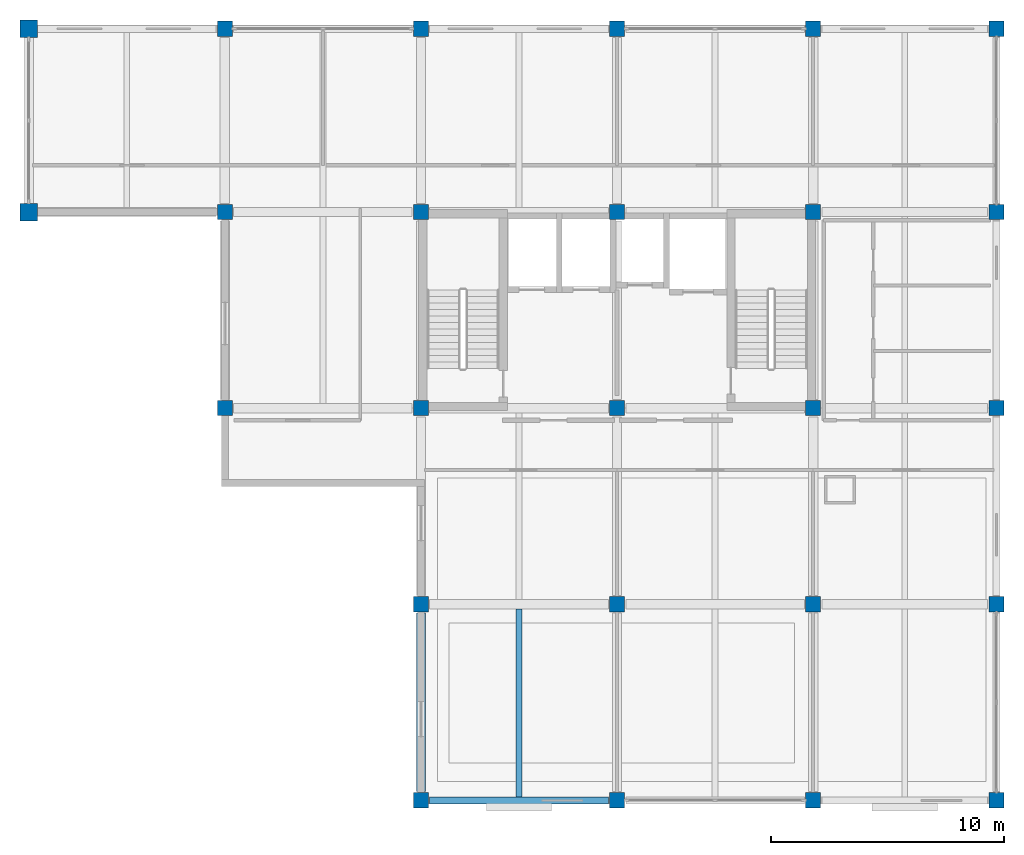
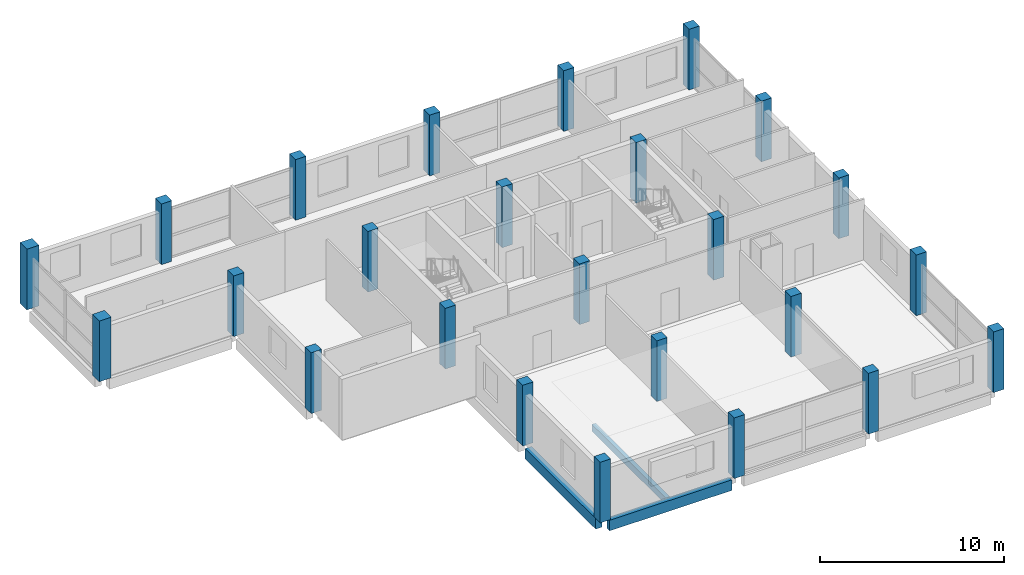
# One storey, part 1 of 9: 25 columns, 3 beams.
"""IFC4 building model written with IfcOpenShell, lengths in metres."""

from ifc_helpers import new_model, si_unit, direction, frame, origin, origin_2d, place, context, subcontext, project, spatial, rectangle, extrude, material, material_profile, profile_set, type_object, element, save


model = new_model("IFC4")

# Units and contexts
model_context = context("Model", 3, precision=1e-05, world=origin(), true_north=direction((0.0, 1.0)))
body_context = subcontext(model_context, "Body", "Model", "MODEL_VIEW")
ifc_project = project(units=[si_unit("LENGTHUNIT", "METRE"), si_unit("AREAUNIT", "SQUARE_METRE"), si_unit("VOLUMEUNIT", "CUBIC_METRE"), si_unit("PLANEANGLEUNIT", "RADIAN"), si_unit("MASSUNIT", "GRAM", prefix="KILO")], contexts=[model_context])

# Site, building, storey
site_placement = place(None, origin())
site = spatial("IfcSite", under=ifc_project, at=site_placement, CompositionType="ELEMENT")
building_placement = place(site_placement, origin())
building = spatial("IfcBuilding", under=site, at=building_placement, Name="Brinegate Botanical Conservatory", CompositionType="ELEMENT")
storey_placement = place(building_placement, frame((0.0, 0.0, 57.0)))
storey = spatial("IfcBuildingStorey", under=building, at=storey_placement, Name="L14", CompositionType="ELEMENT", Elevation=57.0)

# Columns
ifc_material = material(Name="Concrete C40/50", Category="concrete")
ifc_material_profile_1 = material_profile(ifc_material, rectangle(XDim=0.75, YDim=0.75, at=origin_2d()), Name="RC COL 750x750")
ifc_profile_set_1 = profile_set([ifc_material_profile_1], Name="Concrete C40/50")
column_type_1 = type_object("IfcColumnType", Name="Col_C-T4", PredefinedType="COLUMN", material=ifc_profile_set_1)
for number, where, z_axis, x_axis, name in (
    (1, (122.0, 103.60009765625, 0.0), (0.0, 0.0, 1.0), (1.0, 0.0, 0.0), "Column C-T4 L14 N-16"),
    (2, (122.0, 111.449951171875, 0.0), (0.0, 0.0, 1.0), (1.0, 0.0, 0.0), "Column C-T4 L14 P-16"),
):
    element("IfcColumn", number, at=place(storey_placement, frame(where, z_axis=z_axis, x_axis=x_axis)), inside=storey, type_object=column_type_1, Name=name, PredefinedType="COLUMN", context=body_context, shape_type="SweptSolid", body=[
        extrude(rectangle(XDim=0.75, YDim=0.75, at=origin_2d()), origin(), (0.0, 0.0, 1.0), 4.02001953125),
    ])
ifc_material_profile_2 = material_profile(ifc_material, rectangle(XDim=0.64990234375, YDim=0.64990234375, at=origin_2d()), Name="RC COL 650x650")
ifc_profile_set_2 = profile_set([ifc_material_profile_2], Name="Concrete C40/50")
column_type_2 = type_object("IfcColumnType", Name="Col_C-T5", PredefinedType="COLUMN", material=ifc_profile_set_2)
for number, where, z_axis, x_axis, name in (
    (3, (130.39990234375, 95.199951171875, 0.0), (0.0, 0.0, 1.0), (1.0, 0.0, 0.0), "Column C-T5 L14 M-17"),
    (4, (130.39990234375, 103.60009765625, 0.0), (0.0, 0.0, 1.0), (1.0, 0.0, 0.0), "Column C-T5 L14 N-17"),
    (5, (130.39990234375, 111.449951171875, 0.0), (0.0, 0.0, 1.0), (1.0, 0.0, 0.0), "Column C-T5 L14 P-17"),
    (6, (138.800048828125, 78.39990234375, 0.0), (0.0, 0.0, 1.0), (1.0, 0.0, 0.0), "Column C-T5 L14 K-18"),
    (7, (138.800048828125, 86.800048828125, 0.0), (0.0, 0.0, 1.0), (1.0, 0.0, 0.0), "Column C-T5 L14 L-18"),
    (8, (138.800048828125, 95.199951171875, 0.0), (0.0, 0.0, 1.0), (1.0, 0.0, 0.0), "Column C-T5 L14 M-18"),
    (9, (138.800048828125, 103.60009765625, 0.0), (0.0, 0.0, 1.0), (1.0, 0.0, 0.0), "Column C-T5 L14 N-18"),
    (10, (138.800048828125, 111.449951171875, 0.0), (0.0, 0.0, 1.0), (1.0, 0.0, 0.0), "Column C-T5 L14 P-18"),
    (11, (147.199951171875, 78.39990234375, 0.0), (0.0, 0.0, 1.0), (1.0, 0.0, 0.0), "Column C-T5 L14 K-19"),
    (12, (147.199951171875, 86.800048828125, 0.0), (0.0, 0.0, 1.0), (1.0, 0.0, 0.0), "Column C-T5 L14 L-19"),
    (13, (147.199951171875, 95.199951171875, 0.0), (0.0, 0.0, 1.0), (1.0, 0.0, 0.0), "Column C-T5 L14 M-19"),
    (14, (147.199951171875, 103.60009765625, 0.0), (0.0, 0.0, 1.0), (1.0, 0.0, 0.0), "Column C-T5 L14 N-19"),
    (15, (147.199951171875, 111.449951171875, 0.0), (0.0, 0.0, 1.0), (1.0, 0.0, 0.0), "Column C-T5 L14 P-19"),
    (16, (155.60009765625, 78.39990234375, 0.0), (0.0, 0.0, 1.0), (1.0, 0.0, 0.0), "Column C-T5 L14 K-20"),
    (17, (155.60009765625, 86.800048828125, 0.0), (0.0, 0.0, 1.0), (1.0, 0.0, 0.0), "Column C-T5 L14 L-20"),
    (18, (155.60009765625, 95.199951171875, 0.0), (0.0, 0.0, 1.0), (1.0, 0.0, 0.0), "Column C-T5 L14 M-20"),
    (19, (155.60009765625, 103.60009765625, 0.0), (0.0, 0.0, 1.0), (1.0, 0.0, 0.0), "Column C-T5 L14 N-20"),
    (20, (155.60009765625, 111.449951171875, 0.0), (0.0, 0.0, 1.0), (1.0, 0.0, 0.0), "Column C-T5 L14 P-20"),
    (21, (163.449951171875, 78.39990234375, 0.0), (0.0, 0.0, 1.0), (1.0, 0.0, 0.0), "Column C-T5 L14 K-21"),
    (22, (163.449951171875, 86.800048828125, 0.0), (0.0, 0.0, 1.0), (1.0, 0.0, 0.0), "Column C-T5 L14 L-21"),
    (23, (163.449951171875, 95.199951171875, 0.0), (0.0, 0.0, 1.0), (1.0, 0.0, 0.0), "Column C-T5 L14 M-21"),
    (24, (163.449951171875, 103.60009765625, 0.0), (0.0, 0.0, 1.0), (1.0, 0.0, 0.0), "Column C-T5 L14 N-21"),
    (25, (163.449951171875, 111.449951171875, 0.0), (0.0, 0.0, 1.0), (1.0, 0.0, 0.0), "Column C-T5 L14 P-21"),
):
    element("IfcColumn", number, at=place(storey_placement, frame(where, z_axis=z_axis, x_axis=x_axis)), inside=storey, type_object=column_type_2, Name=name, PredefinedType="COLUMN", context=body_context, shape_type="SweptSolid", body=[
        extrude(rectangle(XDim=0.64990234375, YDim=0.64990234375, at=origin_2d()), origin(), (0.0, 0.0, 1.0), 4.02001953125),
    ])

# Beams
ifc_material_profile_3 = material_profile(ifc_material, rectangle(XDim=0.39990234375, YDim=0.699951171875, at=origin_2d()), Name="RC BM 400x700")
ifc_profile_set_3 = profile_set([ifc_material_profile_3], Name="Concrete C40/50")
beam_type_1 = type_object("IfcBeamType", Name="Beam_BM-T2", PredefinedType="BEAM", material=ifc_profile_set_3)
beam_1_placement = place(storey_placement, frame((138.800048828125, 78.77490234375, -0.52001953125), z_axis=(0.0, 1.0, 0.0), x_axis=(-1.0, 0.0, 0.0)))
element("IfcBeam", 26, at=beam_1_placement, inside=storey, type_object=beam_type_1, Name="Beam BM-T2 L14 18:K-L", PredefinedType="BEAM", context=body_context, shape_type="SweptSolid", body=[
    extrude(rectangle(XDim=0.39990234375, YDim=0.699951171875, at=origin_2d()), origin(), (0.0, 0.0, 1.0), 7.650146484375),
])
ifc_material_profile_4 = material_profile(ifc_material, rectangle(XDim=0.25, YDim=0.449951171875, at=origin_2d()), Name="RC JST 250x450")
ifc_profile_set_4 = profile_set([ifc_material_profile_4], Name="Concrete C40/50")
beam_type_2 = type_object("IfcBeamType", Name="Beam_JS-C3", PredefinedType="JOIST", material=ifc_profile_set_4)
beam_2_placement = place(storey_placement, frame((143.0, 78.550048828125, -0.39501953125), z_axis=(0.0, 1.0, 0.0), x_axis=(-1.0, 0.0, 0.0)))
element("IfcBeam", 27, at=beam_2_placement, inside=storey, type_object=beam_type_2, Name="Floor joist JS-C3 L14 bay 18.10", PredefinedType="JOIST", context=body_context, shape_type="SweptSolid", body=[
    extrude(rectangle(XDim=0.25, YDim=0.449951171875, at=origin_2d()), origin(), (0.0, 0.0, 1.0), 8.050048828125),
])
ifc_material_profile_5 = material_profile(ifc_material, rectangle(XDim=0.300048828125, YDim=0.699951171875, at=origin_2d()), Name="RC SPN 300x700")
ifc_profile_set_5 = profile_set([ifc_material_profile_5], Name="Concrete C40/50")
beam_type_3 = type_object("IfcBeamType", Name="Beam_SP-02", PredefinedType="SPANDREL", material=ifc_profile_set_5)
beam_3_placement = place(storey_placement, frame((139.175048828125, 78.39990234375, -0.52001953125), z_axis=(1.0, 0.0, 0.0), x_axis=(0.0, 1.0, 0.0)))
element("IfcBeam", 28, at=beam_3_placement, inside=storey, type_object=beam_type_3, Name="Beam SP-02 L14 K:18-19", PredefinedType="SPANDREL", context=body_context, shape_type="SweptSolid", body=[
    extrude(rectangle(XDim=0.300048828125, YDim=0.699951171875, at=origin_2d()), origin(), (0.0, 0.0, 1.0), 7.64990234375),
])

save(model, "model.ifc")
